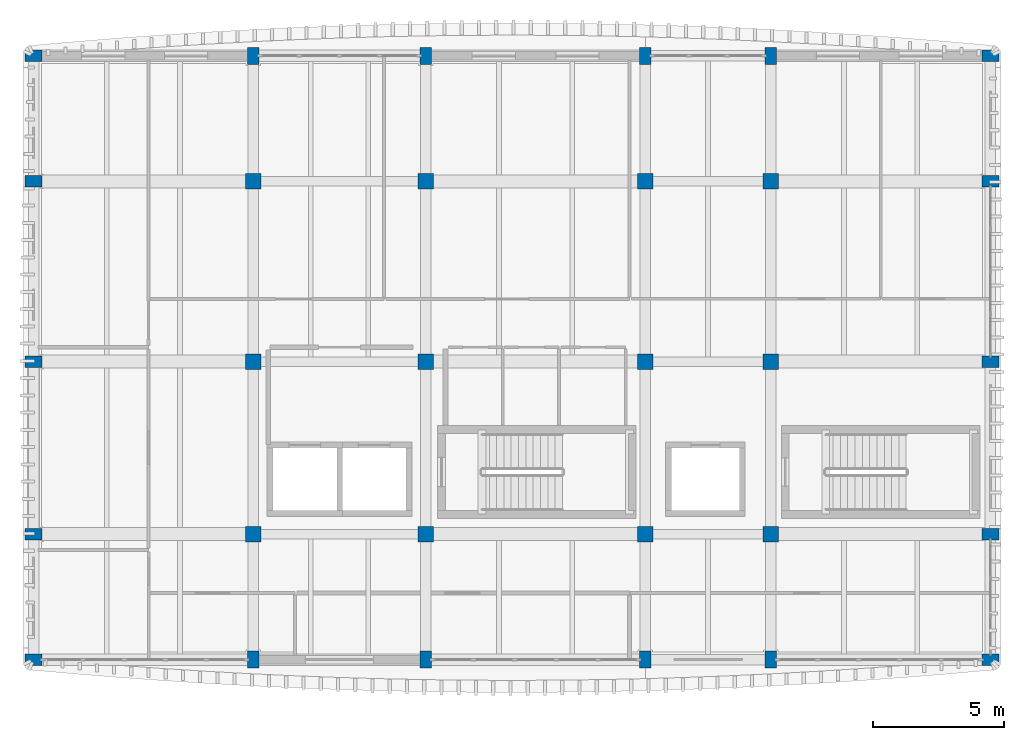
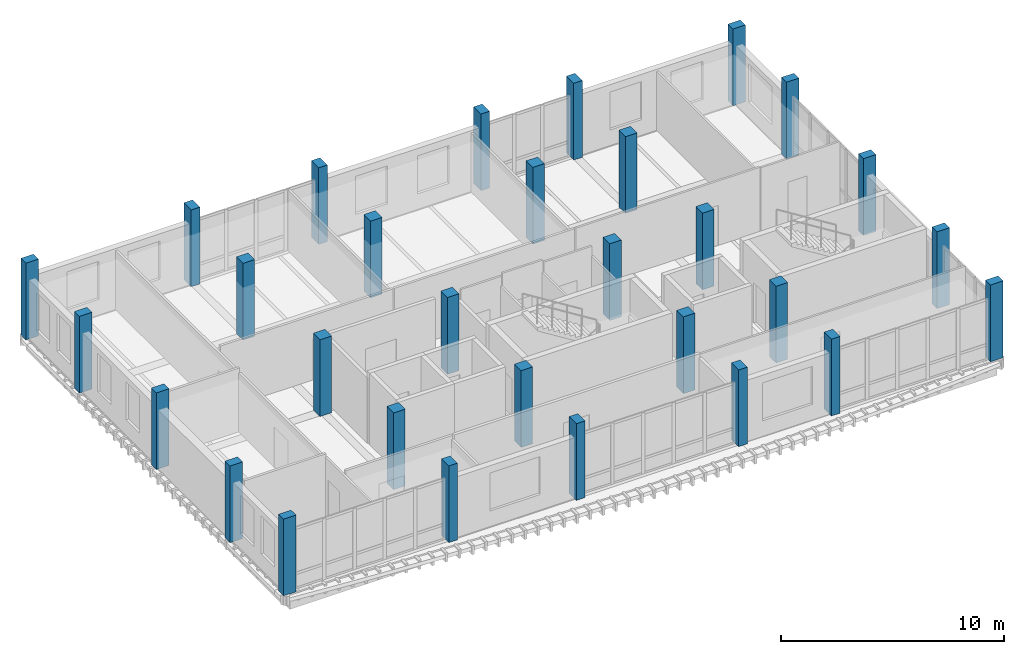
# One storey, part 1 of 16: 30 columns.
"""IFC4 building model written with IfcOpenShell, lengths in metres."""

from ifc_helpers import new_model, si_unit, direction, frame, origin, origin_2d, place, context, subcontext, project, spatial, rectangle, extrude, material, material_profile, profile_set, type_object, element, save


model = new_model("IFC4")

# Units and contexts
model_context = context("Model", 3, precision=1e-05, world=origin(), true_north=direction((0.0, 1.0)))
body_context = subcontext(model_context, "Body", "Model", "MODEL_VIEW")
ifc_project = project(units=[si_unit("LENGTHUNIT", "METRE"), si_unit("AREAUNIT", "SQUARE_METRE"), si_unit("VOLUMEUNIT", "CUBIC_METRE"), si_unit("PLANEANGLEUNIT", "RADIAN"), si_unit("MASSUNIT", "GRAM", prefix="KILO")], contexts=[model_context])

# Site, building, storey
site_placement = place(None, origin())
site = spatial("IfcSite", under=ifc_project, at=site_placement, CompositionType="ELEMENT")
building_placement = place(site_placement, origin())
building = spatial("IfcBuilding", under=site, at=building_placement, Name="Dornvale Research Institute", CompositionType="ELEMENT")
storey_placement = place(building_placement, frame((0.0, 0.0, 38.39990234375)))
storey = spatial("IfcBuildingStorey", under=building, at=storey_placement, Name="L08", CompositionType="ELEMENT", Elevation=38.39990234375)

# Columns
ifc_material_1 = material(Name="Concrete f'c 45 MPa (C35/45)", Category="concrete")
ifc_material_profile_1 = material_profile(ifc_material_1, rectangle(XDim=0.60009765625, YDim=0.60009765625, at=origin_2d()), Name="RC 600x600")
ifc_profile_set_1 = profile_set([ifc_material_profile_1], Name="Concrete f'c 45 MPa (C35/45)")
column_type_1 = type_object("IfcColumnType", Name="Column_RC600", PredefinedType="COLUMN", material=ifc_profile_set_1)
for number, where, z_axis, x_axis, name in (
    (1, (13.199951171875, 103.800048828125, 0.0), (0.0, 0.0, 1.0), (1.0, 0.0, 0.0), "L08 column #342"),
    (2, (13.199951171875, 110.39990234375, 0.0), (0.0, 0.0, 1.0), (1.0, 0.0, 0.0), "L08 column #343"),
    (3, (13.199951171875, 117.300048828125, 0.0), (0.0, 0.0, 1.0), (1.0, 0.0, 0.0), "L08 column #344"),
    (4, (19.800048828125, 103.800048828125, 0.0), (0.0, 0.0, 1.0), (1.0, 0.0, 0.0), "L08 column #347"),
    (5, (19.800048828125, 110.39990234375, 0.0), (0.0, 0.0, 1.0), (1.0, 0.0, 0.0), "L08 column #348"),
    (6, (19.800048828125, 117.300048828125, 0.0), (0.0, 0.0, 1.0), (1.0, 0.0, 0.0), "L08 column #349"),
    (7, (28.199951171875, 103.800048828125, 0.0), (0.0, 0.0, 1.0), (1.0, 0.0, 0.0), "L08 column #352"),
    (8, (28.199951171875, 110.39990234375, 0.0), (0.0, 0.0, 1.0), (1.0, 0.0, 0.0), "L08 column #353"),
    (9, (28.199951171875, 117.300048828125, 0.0), (0.0, 0.0, 1.0), (1.0, 0.0, 0.0), "L08 column #354"),
    (10, (33.0, 103.800048828125, 0.0), (0.0, 0.0, 1.0), (1.0, 0.0, 0.0), "L08 column #357"),
    (11, (33.0, 110.39990234375, 0.0), (0.0, 0.0, 1.0), (1.0, 0.0, 0.0), "L08 column #358"),
    (12, (33.0, 117.300048828125, 0.0), (0.0, 0.0, 1.0), (1.0, 0.0, 0.0), "L08 column #359"),
):
    element("IfcColumn", number, at=place(storey_placement, frame(where, z_axis=z_axis, x_axis=x_axis)), inside=storey, type_object=column_type_1, Name=name, PredefinedType="COLUMN", context=body_context, shape_type="SweptSolid", body=[
        extrude(rectangle(XDim=0.60009765625, YDim=0.60009765625, at=origin_2d()), origin(), (0.0, 0.0, 1.0), 4.2001953125),
    ])
ifc_material_2 = material(Name="Concrete f'c 45 MPa (C35/45)", Category="concrete")
ifc_material_profile_2 = material_profile(ifc_material_2, rectangle(XDim=0.449951171875, YDim=0.64990234375, at=origin_2d()), Name="RC 450x650")
ifc_profile_set_2 = profile_set([ifc_material_profile_2], Name="Concrete f'c 45 MPa (C35/45)")
column_type_2 = type_object("IfcColumnType", Name="Pilaster_RC450x650_Ext", PredefinedType="PILASTER", material=ifc_profile_set_2)
for number, where, z_axis, x_axis, name in (
    (13, (4.800048828125, 99.0, 0.0), (0.0, 0.0, 1.0), (0.0, 1.0, 0.0), "L08 column #336"),
    (14, (4.800048828125, 103.800048828125, 0.0), (0.0, 0.0, 1.0), (0.0, 1.0, 0.0), "L08 column #337"),
    (15, (4.800048828125, 110.39990234375, 0.0), (0.0, 0.0, 1.0), (0.0, 1.0, 0.0), "L08 column #338"),
    (16, (4.800048828125, 117.300048828125, 0.0), (0.0, 0.0, 1.0), (0.0, 1.0, 0.0), "L08 column #339"),
    (17, (4.800048828125, 122.10009765625, 0.0), (0.0, 0.0, 1.0), (0.0, 1.0, 0.0), "L08 column #340"),
    (18, (13.199951171875, 99.0, 0.0), (0.0, 0.0, 1.0), (1.0, 0.0, 0.0), "L08 column #341"),
    (19, (13.199951171875, 122.10009765625, 0.0), (0.0, 0.0, 1.0), (1.0, 0.0, 0.0), "L08 column #345"),
    (20, (19.800048828125, 99.0, 0.0), (0.0, 0.0, 1.0), (1.0, 0.0, 0.0), "L08 column #346"),
    (21, (19.800048828125, 122.10009765625, 0.0), (0.0, 0.0, 1.0), (1.0, 0.0, 0.0), "L08 column #350"),
    (22, (28.199951171875, 99.0, 0.0), (0.0, 0.0, 1.0), (1.0, 0.0, 0.0), "L08 column #351"),
    (23, (28.199951171875, 122.10009765625, 0.0), (0.0, 0.0, 1.0), (1.0, 0.0, 0.0), "L08 column #355"),
    (24, (33.0, 99.0, 0.0), (0.0, 0.0, 1.0), (1.0, 0.0, 0.0), "L08 column #356"),
    (25, (33.0, 122.10009765625, 0.0), (0.0, 0.0, 1.0), (1.0, 0.0, 0.0), "L08 column #360"),
    (26, (41.39990234375, 99.0, 0.0), (0.0, 0.0, 1.0), (0.0, 1.0, 0.0), "L08 column #361"),
    (27, (41.39990234375, 103.800048828125, 0.0), (0.0, 0.0, 1.0), (0.0, 1.0, 0.0), "L08 column #362"),
    (28, (41.39990234375, 110.39990234375, 0.0), (0.0, 0.0, 1.0), (0.0, 1.0, 0.0), "L08 column #363"),
    (29, (41.39990234375, 117.300048828125, 0.0), (0.0, 0.0, 1.0), (0.0, 1.0, 0.0), "L08 column #364"),
    (30, (41.39990234375, 122.10009765625, 0.0), (0.0, 0.0, 1.0), (0.0, 1.0, 0.0), "L08 column #365"),
):
    element("IfcColumn", number, at=place(storey_placement, frame(where, z_axis=z_axis, x_axis=x_axis)), inside=storey, type_object=column_type_2, Name=name, PredefinedType="PILASTER", context=body_context, shape_type="SweptSolid", body=[
        extrude(rectangle(XDim=0.449951171875, YDim=0.64990234375, at=origin_2d()), origin(), (0.0, 0.0, 1.0), 4.2001953125),
    ])

save(model, "model.ifc")
